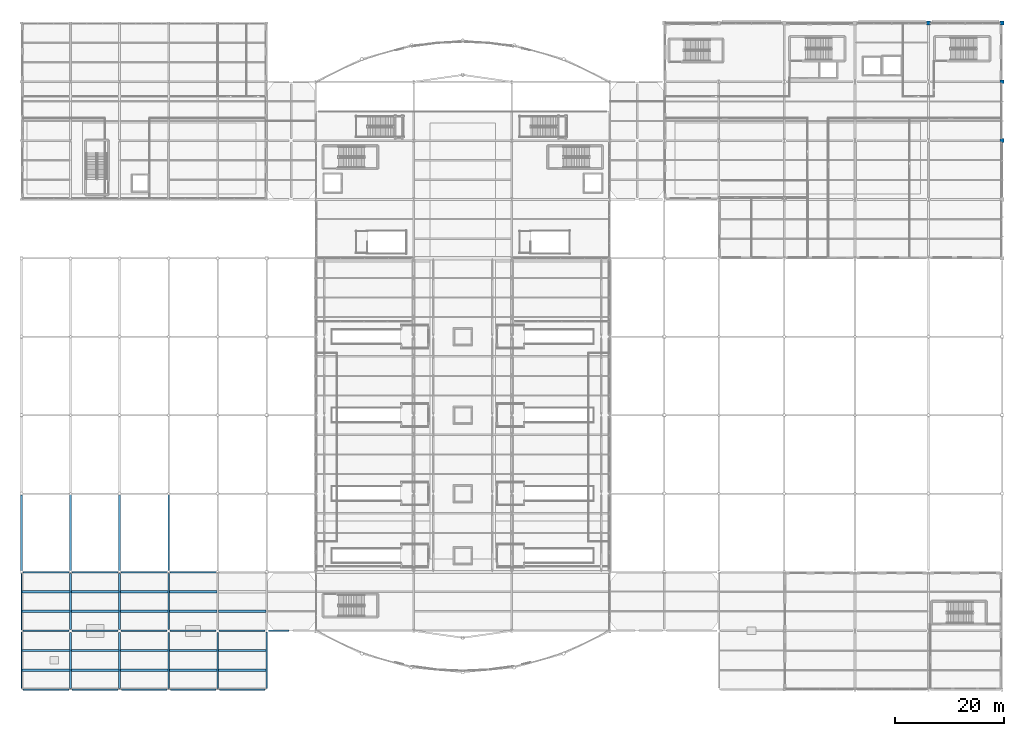
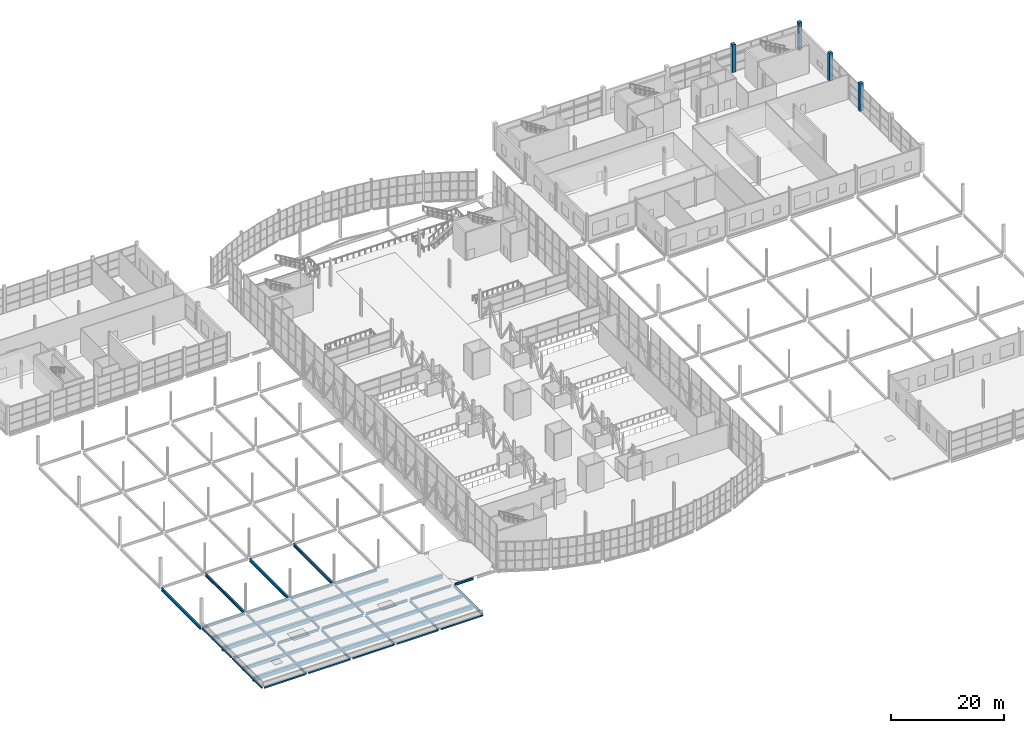
# One storey, part 21 of 191: 48 beams, 4 columns.
"""IFC4 building model written with IfcOpenShell, lengths in metres."""

from ifc_helpers import new_model, si_unit, direction, frame, origin, origin_2d, place, context, subcontext, project, spatial, rectangle, hollow_rectangle, i_section, extrude, material, material_profile, profile_set, type_object, element, save


model = new_model("IFC4")

# Units and contexts
model_context = context("Model", 3, precision=1e-05, world=origin(), true_north=direction((0.0, 1.0)))
body_context = subcontext(model_context, "Body", "Model", "MODEL_VIEW")
ifc_project = project(units=[si_unit("LENGTHUNIT", "METRE"), si_unit("AREAUNIT", "SQUARE_METRE"), si_unit("VOLUMEUNIT", "CUBIC_METRE"), si_unit("PLANEANGLEUNIT", "RADIAN"), si_unit("MASSUNIT", "GRAM", prefix="KILO")], contexts=[model_context])

# Site, building, storey
site_placement = place(None, origin())
site = spatial("IfcSite", under=ifc_project, at=site_placement, CompositionType="ELEMENT")
building_placement = place(site_placement, origin())
building = spatial("IfcBuilding", under=site, at=building_placement, Name="Tamarisk Ironworks Central Station", CompositionType="ELEMENT")
storey_placement = place(building_placement, frame((0.0, 0.0, 6.60009765625)))
storey = spatial("IfcBuildingStorey", under=building, at=storey_placement, Name="L01", CompositionType="ELEMENT", Elevation=6.60009765625)

# Columns
ifc_material_1 = material(Name="Concrete C50/60", Category="concrete")
ifc_material_profile_1 = material_profile(ifc_material_1, rectangle(XDim=0.699951171875, YDim=0.699951171875, at=origin_2d()), Name="RC 700x700")
ifc_profile_set_1 = profile_set([ifc_material_profile_1], Name="Concrete C50/60")
column_type = type_object("IfcColumnType", Name="COL-RC02", PredefinedType="COLUMN", material=ifc_profile_set_1)
for number, where, z_axis, x_axis, name in (
    (1, (166.5, 122.39990234375, 0.0), (0.0, 0.0, 1.0), (1.0, 0.0, 0.0), "L01 column V5-19N"),
    (2, (180.0, 100.800048828125, 0.0), (0.0, 0.0, 1.0), (1.0, 0.0, 0.0), "L01 column V5-20J"),
    (3, (180.0, 111.60009765625, 0.0), (0.0, 0.0, 1.0), (1.0, 0.0, 0.0), "L01 column V5-20L"),
    (4, (180.0, 122.39990234375, 0.0), (0.0, 0.0, 1.0), (1.0, 0.0, 0.0), "L01 column V5-20N"),
):
    element("IfcColumn", number, at=place(storey_placement, frame(where, z_axis=z_axis, x_axis=x_axis)), inside=storey, type_object=column_type, Name=name, PredefinedType="COLUMN", context=body_context, shape_type="SweptSolid", body=[
        extrude(rectangle(XDim=0.699951171875, YDim=0.699951171875, at=origin_2d()), origin(), (0.0, 0.0, 1.0), 6.0),
    ])

# Beams
ifc_material_2 = material(Name="Structural steel S355J2", Category="steel")
ifc_material_profile_2 = material_profile(ifc_material_2, i_section(OverallWidth=0.300048828125, OverallDepth=0.639892578125, WebThickness=0.013427734375, FlangeThickness=0.02587890625, at=origin_2d()), Name="HEA 650")
ifc_profile_set_2 = profile_set([ifc_material_profile_2], Name="Structural steel S355J2")
beam_type_1 = type_object("IfcBeamType", Name="BM-G02", PredefinedType="BEAM", material=ifc_profile_set_2)
beam_1_placement = place(storey_placement, frame((0.0, 21.837890625, -0.570068359375), z_axis=(0.0, 1.0, 0.0), x_axis=(-1.0, 0.0, 0.0)))
element("IfcBeam", 5, at=beam_1_placement, inside=storey, type_object=beam_type_1, Name="L01 primary girder Y-0155", PredefinedType="BEAM", context=body_context, shape_type="SweptSolid", body=[
    extrude(i_section(OverallWidth=0.300048828125, OverallDepth=0.639892578125, WebThickness=0.013427734375, FlangeThickness=0.02587890625, at=origin_2d()), origin(), (0.0, 0.0, 1.0), 13.924072265625),
])
beam_2_placement = place(storey_placement, frame((9.0, 21.842041015625, -0.570068359375), z_axis=(0.0, 1.0, 0.0), x_axis=(-1.0, 0.0, 0.0)))
element("IfcBeam", 6, at=beam_2_placement, inside=storey, type_object=beam_type_1, Name="L01 primary girder Y-0164", PredefinedType="BEAM", context=body_context, shape_type="SweptSolid", body=[
    extrude(i_section(OverallWidth=0.300048828125, OverallDepth=0.639892578125, WebThickness=0.013427734375, FlangeThickness=0.02587890625, at=origin_2d()), origin(), (0.0, 0.0, 1.0), 13.966796875),
])
beam_3_placement = place(storey_placement, frame((18.0, 21.842041015625, -0.570068359375), z_axis=(0.0, 1.0, 0.0), x_axis=(-1.0, 0.0, 0.0)))
element("IfcBeam", 7, at=beam_3_placement, inside=storey, type_object=beam_type_1, Name="L01 primary girder Y-0172", PredefinedType="BEAM", context=body_context, shape_type="SweptSolid", body=[
    extrude(i_section(OverallWidth=0.300048828125, OverallDepth=0.639892578125, WebThickness=0.013427734375, FlangeThickness=0.02587890625, at=origin_2d()), origin(), (0.0, 0.0, 1.0), 13.916015625),
])
beam_4_placement = place(storey_placement, frame((27.0, 21.842041015625, -0.570068359375), z_axis=(0.0, 1.0, 0.0), x_axis=(-1.0, 0.0, 0.0)))
element("IfcBeam", 8, at=beam_4_placement, inside=storey, type_object=beam_type_1, Name="L01 primary girder Y-0181", PredefinedType="BEAM", context=body_context, shape_type="SweptSolid", body=[
    extrude(i_section(OverallWidth=0.300048828125, OverallDepth=0.639892578125, WebThickness=0.013427734375, FlangeThickness=0.02587890625, at=origin_2d()), origin(), (0.0, 0.0, 1.0), 13.966796875),
])
ifc_material_profile_3 = material_profile(ifc_material_2, i_section(OverallWidth=0.300048828125, OverallDepth=0.489990234375, WebThickness=0.011962890625, FlangeThickness=0.02294921875, at=origin_2d()), Name="HEA 500")
ifc_profile_set_3 = profile_set([ifc_material_profile_3], Name="Structural steel S355J2")
beam_type_2 = type_object("IfcBeamType", Name="BM-G05", PredefinedType="BEAM", material=ifc_profile_set_3)
beam_5_placement = place(storey_placement, frame((0.31298828125, 10.800048828125, -0.405029296875), z_axis=(1.0, 0.0, 0.0), x_axis=(0.0, 1.0, 0.0)))
element("IfcBeam", 9, at=beam_5_placement, inside=storey, type_object=beam_type_2, Name="L01 primary girder X-0010", PredefinedType="BEAM", context=body_context, shape_type="SweptSolid", body=[
    extrude(i_section(OverallWidth=0.300048828125, OverallDepth=0.489990234375, WebThickness=0.011962890625, FlangeThickness=0.02294921875, at=origin_2d()), origin(), (0.0, 0.0, 1.0), 8.39892578125),
])
for number, where, z_axis, x_axis, name in (
    (10, (9.2880859375, 10.800048828125, -0.405029296875), (1.0, 0.0, 0.0), (0.0, 1.0, 0.0), "L01 primary girder X-0011"),
    (11, (18.2880859375, 10.800048828125, -0.405029296875), (1.0, 0.0, 0.0), (0.0, 1.0, 0.0), "L01 primary girder X-0012"),
    (12, (27.2880859375, 10.800048828125, -0.405029296875), (1.0, 0.0, 0.0), (0.0, 1.0, 0.0), "L01 primary girder X-0013"),
):
    element("IfcBeam", number, at=place(storey_placement, frame(where, z_axis=z_axis, x_axis=x_axis)), inside=storey, type_object=beam_type_2, Name=name, PredefinedType="BEAM", context=body_context, shape_type="SweptSolid", body=[
        extrude(i_section(OverallWidth=0.300048828125, OverallDepth=0.489990234375, WebThickness=0.011962890625, FlangeThickness=0.02294921875, at=origin_2d()), origin(), (0.0, 0.0, 1.0), 8.423828125),
    ])
beam_6_placement = place(storey_placement, frame((36.2880859375, 10.800048828125, -0.405029296875), z_axis=(1.0, 0.0, 0.0), x_axis=(0.0, 1.0, 0.0)))
element("IfcBeam", 13, at=beam_6_placement, inside=storey, type_object=beam_type_2, Name="L01 primary girder X-0014", PredefinedType="BEAM", context=body_context, shape_type="SweptSolid", body=[
    extrude(i_section(OverallWidth=0.300048828125, OverallDepth=0.489990234375, WebThickness=0.011962890625, FlangeThickness=0.02294921875, at=origin_2d()), origin(), (0.0, 0.0, 1.0), 8.39892578125),
])
beam_7_placement = place(storey_placement, frame((45.31298828125, 10.800048828125, -0.385009765625), z_axis=(1.0, 0.0, 0.0), x_axis=(0.0, 1.0, 0.0)))
element("IfcBeam", 14, at=beam_7_placement, inside=storey, type_object=beam_type_2, Name="L01 primary girder X-0015", PredefinedType="BEAM", context=body_context, shape_type="SweptSolid", body=[
    extrude(i_section(OverallWidth=0.300048828125, OverallDepth=0.489990234375, WebThickness=0.011962890625, FlangeThickness=0.02294921875, at=origin_2d()), origin(), (0.0, 0.0, 1.0), 3.823974609375),
])
beam_8_placement = place(storey_placement, frame((0.238037109375, 21.60009765625, -0.405029296875), z_axis=(1.0, 0.0, 0.0), x_axis=(0.0, 1.0, 0.0)))
element("IfcBeam", 15, at=beam_8_placement, inside=storey, type_object=beam_type_2, Name="L01 primary girder X-0027", PredefinedType="BEAM", context=body_context, shape_type="SweptSolid", body=[
    extrude(i_section(OverallWidth=0.300048828125, OverallDepth=0.489990234375, WebThickness=0.011962890625, FlangeThickness=0.02294921875, at=origin_2d()), origin(), (0.0, 0.0, 1.0), 8.52001953125),
])
for number, where, z_axis, x_axis, name in (
    (16, (9.241943359375, 21.60009765625, -0.405029296875), (1.0, 0.0, 0.0), (0.0, 1.0, 0.0), "L01 primary girder X-0028"),
    (17, (18.241943359375, 21.60009765625, -0.405029296875), (1.0, 0.0, 0.0), (0.0, 1.0, 0.0), "L01 primary girder X-0029"),
    (18, (27.241943359375, 21.60009765625, -0.405029296875), (1.0, 0.0, 0.0), (0.0, 1.0, 0.0), "L01 primary girder X-0030"),
):
    element("IfcBeam", number, at=place(storey_placement, frame(where, z_axis=z_axis, x_axis=x_axis)), inside=storey, type_object=beam_type_2, Name=name, PredefinedType="BEAM", context=body_context, shape_type="SweptSolid", body=[
        extrude(i_section(OverallWidth=0.300048828125, OverallDepth=0.489990234375, WebThickness=0.011962890625, FlangeThickness=0.02294921875, at=origin_2d()), origin(), (0.0, 0.0, 1.0), 8.51611328125),
    ])
ifc_material_profile_4 = material_profile(ifc_material_2, i_section(OverallWidth=0.300048828125, OverallDepth=0.43994140625, WebThickness=0.011474609375, FlangeThickness=0.02099609375, at=origin_2d()), Name="HEA 450")
ifc_profile_set_4 = profile_set([ifc_material_profile_4], Name="Structural steel S355J2")
beam_type_3 = type_object("IfcBeamType", Name="BM-G06", PredefinedType="BEAM", material=ifc_profile_set_4)
beam_9_placement = place(storey_placement, frame((9.0, 0.212890625, -0.380126953125), z_axis=(0.0, 1.0, 0.0), x_axis=(-1.0, 0.0, 0.0)))
element("IfcBeam", 19, at=beam_9_placement, inside=storey, type_object=beam_type_3, Name="L01 primary girder Y-0162", PredefinedType="BEAM", context=body_context, shape_type="SweptSolid", body=[
    extrude(i_section(OverallWidth=0.300048828125, OverallDepth=0.43994140625, WebThickness=0.011474609375, FlangeThickness=0.02099609375, at=origin_2d()), origin(), (0.0, 0.0, 1.0), 10.299072265625),
])
beam_10_placement = place(storey_placement, frame((9.0, 11.087890625, -0.380126953125), z_axis=(0.0, 1.0, 0.0), x_axis=(-1.0, 0.0, 0.0)))
element("IfcBeam", 20, at=beam_10_placement, inside=storey, type_object=beam_type_3, Name="L01 primary girder Y-0163", PredefinedType="BEAM", context=body_context, shape_type="SweptSolid", body=[
    extrude(i_section(OverallWidth=0.300048828125, OverallDepth=0.43994140625, WebThickness=0.011474609375, FlangeThickness=0.02099609375, at=origin_2d()), origin(), (0.0, 0.0, 1.0), 10.27001953125),
])
beam_11_placement = place(storey_placement, frame((18.0, 0.212890625, -0.380126953125), z_axis=(0.0, 1.0, 0.0), x_axis=(-1.0, 0.0, 0.0)))
element("IfcBeam", 21, at=beam_11_placement, inside=storey, type_object=beam_type_3, Name="L01 primary girder Y-0170", PredefinedType="BEAM", context=body_context, shape_type="SweptSolid", body=[
    extrude(i_section(OverallWidth=0.300048828125, OverallDepth=0.43994140625, WebThickness=0.011474609375, FlangeThickness=0.02099609375, at=origin_2d()), origin(), (0.0, 0.0, 1.0), 10.299072265625),
])
beam_12_placement = place(storey_placement, frame((18.0, 11.087890625, -0.380126953125), z_axis=(0.0, 1.0, 0.0), x_axis=(-1.0, 0.0, 0.0)))
element("IfcBeam", 22, at=beam_12_placement, inside=storey, type_object=beam_type_3, Name="L01 primary girder Y-0171", PredefinedType="BEAM", context=body_context, shape_type="SweptSolid", body=[
    extrude(i_section(OverallWidth=0.300048828125, OverallDepth=0.43994140625, WebThickness=0.011474609375, FlangeThickness=0.02099609375, at=origin_2d()), origin(), (0.0, 0.0, 1.0), 10.27001953125),
])
beam_13_placement = place(storey_placement, frame((27.0, 0.212890625, -0.380126953125), z_axis=(0.0, 1.0, 0.0), x_axis=(-1.0, 0.0, 0.0)))
element("IfcBeam", 23, at=beam_13_placement, inside=storey, type_object=beam_type_3, Name="L01 primary girder Y-0179", PredefinedType="BEAM", context=body_context, shape_type="SweptSolid", body=[
    extrude(i_section(OverallWidth=0.300048828125, OverallDepth=0.43994140625, WebThickness=0.011474609375, FlangeThickness=0.02099609375, at=origin_2d()), origin(), (0.0, 0.0, 1.0), 10.299072265625),
])
beam_14_placement = place(storey_placement, frame((27.0, 11.087890625, -0.380126953125), z_axis=(0.0, 1.0, 0.0), x_axis=(-1.0, 0.0, 0.0)))
element("IfcBeam", 24, at=beam_14_placement, inside=storey, type_object=beam_type_3, Name="L01 primary girder Y-0180", PredefinedType="BEAM", context=body_context, shape_type="SweptSolid", body=[
    extrude(i_section(OverallWidth=0.300048828125, OverallDepth=0.43994140625, WebThickness=0.011474609375, FlangeThickness=0.02099609375, at=origin_2d()), origin(), (0.0, 0.0, 1.0), 10.27001953125),
])
beam_15_placement = place(storey_placement, frame((36.0, 0.212890625, -0.380126953125), z_axis=(0.0, 1.0, 0.0), x_axis=(-1.0, 0.0, 0.0)))
element("IfcBeam", 25, at=beam_15_placement, inside=storey, type_object=beam_type_3, Name="L01 primary girder Y-0187", PredefinedType="BEAM", context=body_context, shape_type="SweptSolid", body=[
    extrude(i_section(OverallWidth=0.300048828125, OverallDepth=0.43994140625, WebThickness=0.011474609375, FlangeThickness=0.02099609375, at=origin_2d()), origin(), (0.0, 0.0, 1.0), 10.299072265625),
])
beam_16_placement = place(storey_placement, frame((45.0, 0.212890625, -0.380126953125), z_axis=(0.0, 1.0, 0.0), x_axis=(-1.0, 0.0, 0.0)))
element("IfcBeam", 26, at=beam_16_placement, inside=storey, type_object=beam_type_3, Name="L01 primary girder Y-0196", PredefinedType="BEAM", context=body_context, shape_type="SweptSolid", body=[
    extrude(i_section(OverallWidth=0.300048828125, OverallDepth=0.43994140625, WebThickness=0.011474609375, FlangeThickness=0.02099609375, at=origin_2d()), origin(), (0.0, 0.0, 1.0), 10.3740234375),
])
ifc_material_3 = material(Name="Concrete C40/50", Category="concrete")
ifc_material_profile_5 = material_profile(ifc_material_3, rectangle(XDim=0.5, YDim=0.85009765625, at=origin_2d()), Name="RC 500x850")
ifc_profile_set_5 = profile_set([ifc_material_profile_5], Name="Concrete C40/50")
beam_type_4 = type_object("IfcBeamType", Name="BM-RCT01", PredefinedType="T_BEAM", material=ifc_profile_set_5)
for number, where, z_axis, x_axis, name in (
    (27, (0.0849609375, 3.60009765625, -0.585205078125), (1.0, 0.0, 0.0), (0.0, 1.0, 0.0), "Substation heavy RC T-beam 01"),
    (28, (0.0849609375, 14.39990234375, -0.585205078125), (1.0, 0.0, 0.0), (0.0, 1.0, 0.0), "Substation heavy RC T-beam 03"),
):
    element("IfcBeam", number, at=place(storey_placement, frame(where, z_axis=z_axis, x_axis=x_axis)), inside=storey, type_object=beam_type_4, Name=name, PredefinedType="T_BEAM", context=body_context, shape_type="SweptSolid", body=[
        extrude(rectangle(XDim=0.5, YDim=0.85009765625, at=origin_2d()), origin(), (0.0, 0.0, 1.0), 8.780029296875),
    ])
for number, where, z_axis, x_axis, name in (
    (29, (9.135009765625, 3.60009765625, -0.585205078125), (1.0, 0.0, 0.0), (0.0, 1.0, 0.0), "Substation heavy RC T-beam 05"),
    (30, (9.135009765625, 14.39990234375, -0.585205078125), (1.0, 0.0, 0.0), (0.0, 1.0, 0.0), "Substation heavy RC T-beam 07"),
    (31, (18.135009765625, 3.60009765625, -0.585205078125), (1.0, 0.0, 0.0), (0.0, 1.0, 0.0), "Substation heavy RC T-beam 09"),
    (32, (18.135009765625, 14.39990234375, -0.585205078125), (1.0, 0.0, 0.0), (0.0, 1.0, 0.0), "Substation heavy RC T-beam 11"),
    (33, (27.135009765625, 3.60009765625, -0.585205078125), (1.0, 0.0, 0.0), (0.0, 1.0, 0.0), "Substation heavy RC T-beam 13"),
    (34, (27.135009765625, 14.39990234375, -0.585205078125), (1.0, 0.0, 0.0), (0.0, 1.0, 0.0), "Substation heavy RC T-beam 15"),
    (35, (36.135009765625, 3.60009765625, -0.585205078125), (1.0, 0.0, 0.0), (0.0, 1.0, 0.0), "Substation heavy RC T-beam 17"),
    (36, (36.135009765625, 14.39990234375, -0.585205078125), (1.0, 0.0, 0.0), (0.0, 1.0, 0.0), "Substation heavy RC T-beam 19"),
):
    element("IfcBeam", number, at=place(storey_placement, frame(where, z_axis=z_axis, x_axis=x_axis)), inside=storey, type_object=beam_type_4, Name=name, PredefinedType="T_BEAM", context=body_context, shape_type="SweptSolid", body=[
        extrude(rectangle(XDim=0.5, YDim=0.85009765625, at=origin_2d()), origin(), (0.0, 0.0, 1.0), 8.72998046875),
    ])
ifc_material_profile_6 = material_profile(ifc_material_3, rectangle(XDim=0.39990234375, YDim=0.699951171875, at=origin_2d()), Name="RC 400x700")
ifc_profile_set_6 = profile_set([ifc_material_profile_6], Name="Concrete C40/50")
beam_type_5 = type_object("IfcBeamType", Name="BM-RCT02", PredefinedType="T_BEAM", material=ifc_profile_set_6)
for number, where, z_axis, x_axis, name in (
    (37, (0.0849609375, 7.199951171875, -0.510009765625), (1.0, 0.0, 0.0), (0.0, 1.0, 0.0), "Substation heavy RC T-beam 02"),
    (38, (0.0849609375, 18.0, -0.510009765625), (1.0, 0.0, 0.0), (0.0, 1.0, 0.0), "Substation heavy RC T-beam 04"),
):
    element("IfcBeam", number, at=place(storey_placement, frame(where, z_axis=z_axis, x_axis=x_axis)), inside=storey, type_object=beam_type_5, Name=name, PredefinedType="T_BEAM", context=body_context, shape_type="SweptSolid", body=[
        extrude(rectangle(XDim=0.39990234375, YDim=0.699951171875, at=origin_2d()), origin(), (0.0, 0.0, 1.0), 8.780029296875),
    ])
for number, where, z_axis, x_axis, name in (
    (39, (9.135009765625, 7.199951171875, -0.510009765625), (1.0, 0.0, 0.0), (0.0, 1.0, 0.0), "Substation heavy RC T-beam 06"),
    (40, (9.135009765625, 18.0, -0.510009765625), (1.0, 0.0, 0.0), (0.0, 1.0, 0.0), "Substation heavy RC T-beam 08"),
    (41, (18.135009765625, 7.199951171875, -0.510009765625), (1.0, 0.0, 0.0), (0.0, 1.0, 0.0), "Substation heavy RC T-beam 10"),
    (42, (18.135009765625, 18.0, -0.510009765625), (1.0, 0.0, 0.0), (0.0, 1.0, 0.0), "Substation heavy RC T-beam 12"),
    (43, (27.135009765625, 7.199951171875, -0.510009765625), (1.0, 0.0, 0.0), (0.0, 1.0, 0.0), "Substation heavy RC T-beam 14"),
    (44, (27.135009765625, 18.0, -0.510009765625), (1.0, 0.0, 0.0), (0.0, 1.0, 0.0), "Substation heavy RC T-beam 16"),
    (45, (36.135009765625, 7.199951171875, -0.510009765625), (1.0, 0.0, 0.0), (0.0, 1.0, 0.0), "Substation heavy RC T-beam 18"),
):
    element("IfcBeam", number, at=place(storey_placement, frame(where, z_axis=z_axis, x_axis=x_axis)), inside=storey, type_object=beam_type_5, Name=name, PredefinedType="T_BEAM", context=body_context, shape_type="SweptSolid", body=[
        extrude(rectangle(XDim=0.39990234375, YDim=0.699951171875, at=origin_2d()), origin(), (0.0, 0.0, 1.0), 8.72998046875),
    ])
ifc_material_profile_7 = material_profile(ifc_material_2, hollow_rectangle(XDim=0.199951171875, YDim=0.35009765625, WallThickness=0.012451171875, at=origin_2d()), Name="RHS 350x200x12.5")
ifc_profile_set_7 = profile_set([ifc_material_profile_7], Name="Structural steel S355J2")
beam_type_6 = type_object("IfcBeamType", Name="BM-SP01", PredefinedType="SPANDREL", material=ifc_profile_set_7)
beam_17_placement = place(storey_placement, frame((0.0, 0.212890625, -0.335205078125), z_axis=(0.0, 1.0, 0.0), x_axis=(-1.0, 0.0, 0.0)))
element("IfcBeam", 46, at=beam_17_placement, inside=storey, type_object=beam_type_6, Name="L01 primary girder Y-0153", PredefinedType="SPANDREL", context=body_context, shape_type="SweptSolid", body=[
    extrude(hollow_rectangle(XDim=0.199951171875, YDim=0.35009765625, WallThickness=0.012451171875, at=origin_2d()), origin(), (0.0, 0.0, 1.0), 10.3740234375),
])
beam_18_placement = place(storey_placement, frame((0.0, 11.012939453125, -0.335205078125), z_axis=(0.0, 1.0, 0.0), x_axis=(-1.0, 0.0, 0.0)))
element("IfcBeam", 47, at=beam_18_placement, inside=storey, type_object=beam_type_6, Name="L01 primary girder Y-0154", PredefinedType="SPANDREL", context=body_context, shape_type="SweptSolid", body=[
    extrude(hollow_rectangle(XDim=0.199951171875, YDim=0.35009765625, WallThickness=0.012451171875, at=origin_2d()), origin(), (0.0, 0.0, 1.0), 10.34912109375),
])
ifc_material_profile_8 = material_profile(ifc_material_2, hollow_rectangle(XDim=0.199951171875, YDim=0.300048828125, WallThickness=0.011962890625, at=origin_2d()), Name="RHS 300x200x12")
ifc_profile_set_8 = profile_set([ifc_material_profile_8], Name="Structural steel S355J2")
beam_type_7 = type_object("IfcBeamType", Name="BM-SP02", PredefinedType="SPANDREL", material=ifc_profile_set_8)
for number, where, z_axis, x_axis, name in (
    (48, (0.31298828125, 0.0, -0.31005859375), (1.0, 0.0, 0.0), (0.0, 1.0, 0.0), "L01 primary girder X-0001"),
    (49, (9.31298828125, 0.0, -0.31005859375), (1.0, 0.0, 0.0), (0.0, 1.0, 0.0), "L01 primary girder X-0002"),
    (50, (18.31298828125, 0.0, -0.31005859375), (1.0, 0.0, 0.0), (0.0, 1.0, 0.0), "L01 primary girder X-0003"),
    (51, (27.31298828125, 0.0, -0.31005859375), (1.0, 0.0, 0.0), (0.0, 1.0, 0.0), "L01 primary girder X-0004"),
    (52, (36.31298828125, 0.0, -0.31005859375), (1.0, 0.0, 0.0), (0.0, 1.0, 0.0), "L01 primary girder X-0005"),
):
    element("IfcBeam", number, at=place(storey_placement, frame(where, z_axis=z_axis, x_axis=x_axis)), inside=storey, type_object=beam_type_7, Name=name, PredefinedType="SPANDREL", context=body_context, shape_type="SweptSolid", body=[
        extrude(hollow_rectangle(XDim=0.199951171875, YDim=0.300048828125, WallThickness=0.011962890625, at=origin_2d()), origin(), (0.0, 0.0, 1.0), 8.3740234375),
    ])

save(model, "model.ifc")
